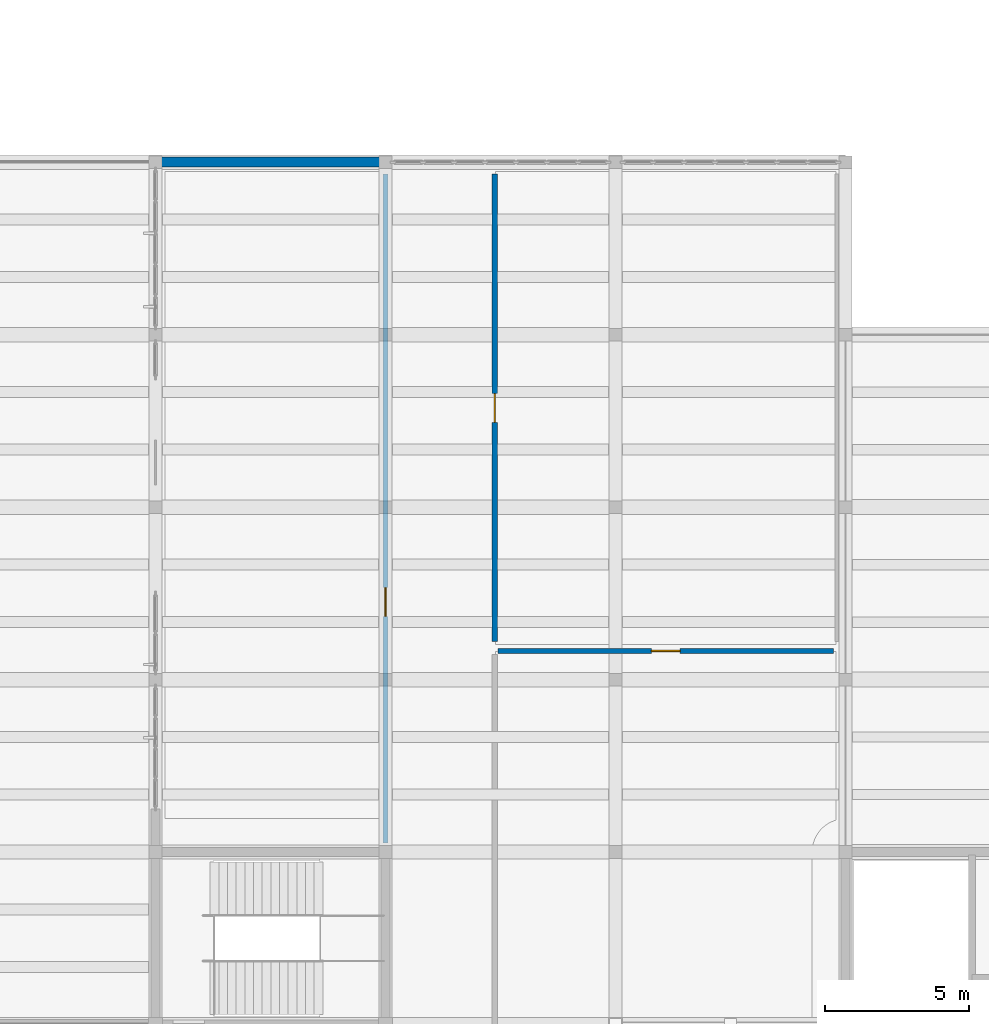
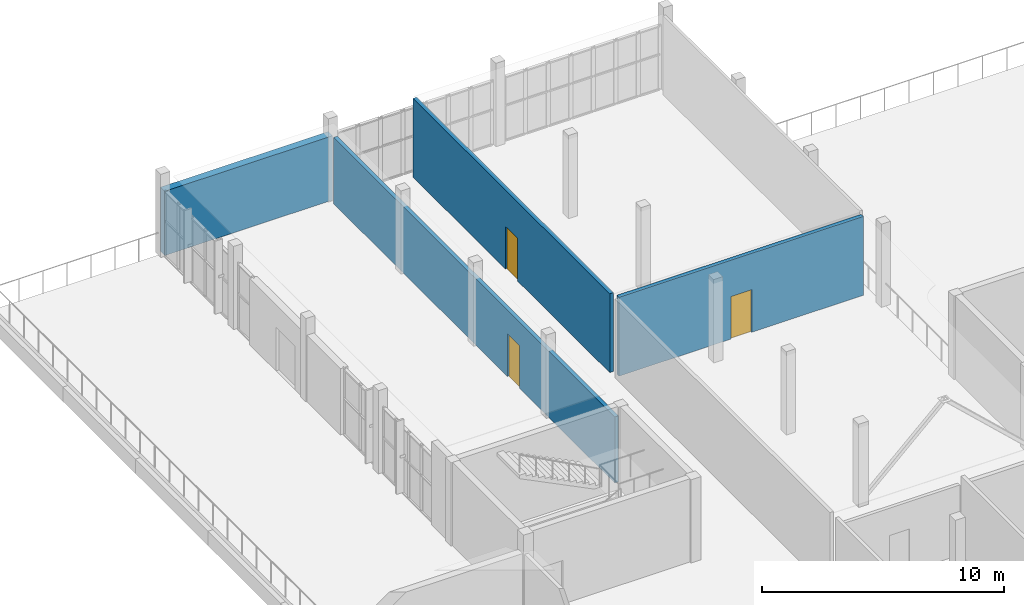
# One storey, part 54 of 70: 4 walls, 3 doors, 3 openings.
"""IFC4 building model written with IfcOpenShell, lengths in metres."""

import ifcopenshell
import ifcopenshell.guid

model = None  # the IFC model being written
_history = None  # IfcOwnerHistory: only IFC2X3 demands one
_inside = {}  # id of a spatial element -> (the spatial element, [elements in it])
_under = {}  # id of a project, library or spatial element -> (it, [spatial elements below it])
_declared = {}  # id of a project -> (the project, [libraries it declares])
_typed = {}  # id of a type object -> (the type object, [elements of that type])
_made_of = {}  # id of a material, layer set ... -> (it, [elements and type objects made of it])


def new_model(schema):
    """Start an empty IFC model of exactly this schema.

    Asked for "IFC4X3", IfcOpenShell would pick the latest addendum, in which some entities
    have other attributes; the version numbers below select the first issue.
    IFC2X3 requires an IfcOwnerHistory on every rooted entity: one is made here for all.
    """
    global model, _history
    if schema == "IFC4X3":
        model = ifcopenshell.file(schema_version=(4, 3, 0, 0))
    else:
        model = ifcopenshell.file(schema=schema)
    _inside.clear()
    _under.clear()
    _declared.clear()
    _typed.clear()
    _made_of.clear()
    _history = None
    if model.schema == "IFC2X3":
        org = make("IfcOrganization", Name="unknown")
        user = make(
            "IfcPersonAndOrganization",
            ThePerson=make("IfcPerson", FamilyName="unknown"),
            TheOrganization=org,
        )
        app = make(
            "IfcApplication",
            ApplicationDeveloper=org,
            Version="unknown",
            ApplicationFullName="unknown",
            ApplicationIdentifier="unknown",
        )
        _history = make(
            "IfcOwnerHistory",
            OwningUser=user,
            OwningApplication=app,
            ChangeAction="ADDED",
            CreationDate=0,
        )
    return model


def make(cls, **values):
    """One entity of the class cls with the attributes given. An attribute that is None is left unset."""
    return model.create_entity(
        cls, **{name: value for name, value in values.items() if value is not None}
    )


def rooted(cls, **values):
    """An entity with a GlobalId (a new one), such as an element, a storey or a relation."""
    return make(cls, GlobalId=ifcopenshell.guid.new(), OwnerHistory=_history, **values)


def si_unit(unit_type, name, prefix=None):
    """IfcSIUnit, for example si_unit("LENGTHUNIT", "METRE", prefix="MILLI")."""
    return make("IfcSIUnit", UnitType=unit_type, Prefix=prefix, Name=name)


def assignment(units):
    """IfcUnitAssignment: the units of a project."""
    return None if units is None else make("IfcUnitAssignment", Units=units)


def point(xyz):
    """IfcCartesianPoint."""
    return None if xyz is None else make("IfcCartesianPoint", Coordinates=xyz)


def direction(xyz):
    """IfcDirection."""
    return None if xyz is None else make("IfcDirection", DirectionRatios=xyz)


def frame(location, z_axis=None, x_axis=None):
    """IfcAxis2Placement3D, a coordinate frame: its origin and axes. An axis left out is left unset."""
    return make(
        "IfcAxis2Placement3D",
        Location=point(location),
        Axis=direction(z_axis),
        RefDirection=direction(x_axis),
    )


def frame_2d(location, x_axis=None):
    """IfcAxis2Placement2D, a coordinate frame in the plane: its origin and x axis."""
    return make(
        "IfcAxis2Placement2D", Location=point(location), RefDirection=direction(x_axis)
    )


def origin():
    """The frame at (0, 0, 0) with its axes left unset."""
    return frame((0.0, 0.0, 0.0))


def place(relative_to, where):
    """IfcLocalPlacement: puts the frame where relative to a parent placement (None: the world)."""
    return make(
        "IfcLocalPlacement", PlacementRelTo=relative_to, RelativePlacement=where
    )


def context(
    kind, dimensions, precision=None, world=None, true_north=None, identifier=None
):
    """IfcGeometricRepresentationContext, for example the 3D "Model" context."""
    return make(
        "IfcGeometricRepresentationContext",
        ContextIdentifier=identifier,
        ContextType=kind,
        CoordinateSpaceDimension=dimensions,
        Precision=precision,
        WorldCoordinateSystem=world,
        TrueNorth=true_north,
    )


def subcontext(parent, identifier, kind, view, scale=None):
    """IfcGeometricRepresentationSubContext, for example "Body" below "Model"."""
    return make(
        "IfcGeometricRepresentationSubContext",
        ContextIdentifier=identifier,
        ContextType=kind,
        ParentContext=parent,
        TargetScale=scale,
        TargetView=view,
    )


def project(units=None, contexts=None):
    """IfcProject with its units and contexts."""
    return rooted(
        "IfcProject",
        Name="project",
        RepresentationContexts=contexts,
        UnitsInContext=assignment(units),
    )


def spatial(cls, under=None, at=None, **own):
    """A site, building, storey or space (cls), placed at a placement, below another one or the project."""
    s = rooted(cls, ObjectPlacement=at, **own)
    if under is not None:
        _under.setdefault(under.id(), (under, []))[1].append(s)
    return s


def profile(cls, at=None, kind="AREA", **sizes):
    """A parametric profile (cls). Its sizes go by their IFC names, for example OverallWidth=200.0."""
    return make(cls, ProfileType=kind, Position=at, **sizes)


def rectangle(**sizes):
    """IfcRectangleProfileDef."""
    return profile("IfcRectangleProfileDef", **sizes)


def extrude(swept, where, along, depth):
    """IfcExtrudedAreaSolid: the profile swept, set in the frame where, extruded along a direction by depth."""
    return make(
        "IfcExtrudedAreaSolid",
        SweptArea=swept,
        Position=where,
        ExtrudedDirection=direction(along),
        Depth=depth,
    )


def shape(context_of_items, identifier, shape_type, items):
    """IfcShapeRepresentation: the items that make up one representation, for example the "Body"."""
    return make(
        "IfcShapeRepresentation",
        ContextOfItems=context_of_items,
        RepresentationIdentifier=identifier,
        RepresentationType=shape_type,
        Items=items,
    )


def material(Name=None, Category=None):
    """IfcMaterial."""
    return make("IfcMaterial", Name=Name, Category=Category)


def layer(
    of_material, thickness, ventilated=None, Name=None, Category=None, Priority=None
):
    """IfcMaterialLayer: one layer of a wall or slab, of a material (None: an air gap)."""
    return make(
        "IfcMaterialLayer",
        Material=of_material,
        LayerThickness=thickness,
        IsVentilated=ventilated,
        Name=Name,
        Category=Category,
        Priority=Priority,
    )


def layer_set(layers, Name=None):
    """IfcMaterialLayerSet."""
    return make("IfcMaterialLayerSet", MaterialLayers=layers, LayerSetName=Name)


def made_of(thing, what):
    """Note that an element or type object is made of a material, layer set ...; save() writes the relation."""
    if what is not None:
        _made_of.setdefault(what.id(), (what, []))[1].append(thing)
    return thing


def type_object(cls, material=None, **own):
    """A type object (cls), such as IfcWallType, which elements share."""
    return made_of(rooted(cls, **own), material)


def element(
    cls,
    number,
    at=None,
    inside=None,
    cuts=None,
    type_object=None,
    material=None,
    context=None,
    identifier="Body",
    shape_type=None,
    held_by="IfcProductDefinitionShape",
    body=None,
    shapes=None,
    **own,
):
    """One element of the class cls, such as IfcWall. Its Tag is "e" and its number.

    at: its placement. inside: the storey or other place that contains it. cuts: it is an
    opening in that element (IfcRelVoidsElement). A single representation is given by context,
    identifier, shape_type and body (its items); several are given by shapes. held_by: the class
    of the entity that holds the representations. save() writes the other relations.
    """
    e = rooted(cls, Tag="e%d" % number, ObjectPlacement=at, **own)
    if body is not None:
        shapes = [shape(context, identifier, shape_type, body)]
    if shapes is not None:
        e.Representation = make(held_by, Representations=shapes)
    if inside is not None:
        _inside.setdefault(inside.id(), (inside, []))[1].append(e)
    if cuts is not None:
        rooted(
            "IfcRelVoidsElement", RelatingBuildingElement=cuts, RelatedOpeningElement=e
        )
    if type_object is not None:
        _typed.setdefault(type_object.id(), (type_object, []))[1].append(e)
    return made_of(e, material)


def fill(opening, filler):
    """IfcRelFillsElement: the door or window that sits in an opening."""
    return rooted(
        "IfcRelFillsElement",
        RelatingOpeningElement=opening,
        RelatedBuildingElement=filler,
    )


def aggregate(whole, parts):
    """IfcRelAggregates: a whole, such as a stair, and the parts it consists of."""
    return rooted("IfcRelAggregates", RelatingObject=whole, RelatedObjects=parts)


def save(model, path):
    """Write the relations noted so far, then the file.

    IfcRelAggregates (storeys below a building ...), IfcRelContainedInSpatialStructure (elements
    in a storey), IfcRelDefinesByType, IfcRelAssociatesMaterial and IfcRelDeclares: one each for
    every whole, place, type object, material and project.
    """
    for whole, parts in _under.values():
        aggregate(whole, parts)
    for where, things in _inside.values():
        rooted(
            "IfcRelContainedInSpatialStructure",
            RelatedElements=things,
            RelatingStructure=where,
        )
    for kind, things in _typed.values():
        rooted("IfcRelDefinesByType", RelatedObjects=things, RelatingType=kind)
    for what, things in _made_of.values():
        rooted("IfcRelAssociatesMaterial", RelatedObjects=things, RelatingMaterial=what)
    for by, libraries in _declared.values():
        rooted("IfcRelDeclares", RelatingContext=by, RelatedDefinitions=libraries)
    model.write(path)


model = new_model("IFC4")

# Units and contexts
model_context = context("Model", 3, precision=1e-05, world=origin(), true_north=direction((0.0, 1.0)))
body_context = subcontext(model_context, "Body", "Model", "MODEL_VIEW")
ifc_project = project(units=[si_unit("LENGTHUNIT", "METRE"), si_unit("AREAUNIT", "SQUARE_METRE"), si_unit("VOLUMEUNIT", "CUBIC_METRE"), si_unit("PLANEANGLEUNIT", "RADIAN"), si_unit("MASSUNIT", "GRAM", prefix="KILO")], contexts=[model_context])

# Site, building, storey
site_placement = place(None, origin())
site = spatial("IfcSite", under=ifc_project, at=site_placement, CompositionType="ELEMENT")
building_placement = place(site_placement, origin())
building = spatial("IfcBuilding", under=site, at=building_placement, Name="Solvane Community Centre", CompositionType="ELEMENT")
storey_placement = place(building_placement, frame((0.0, 0.0, 9.60009765625)))
storey = spatial("IfcBuildingStorey", under=building, at=storey_placement, Name="L02", CompositionType="ELEMENT", Elevation=9.60009765625)

# Wall
ifc_material_1 = material(Name="Precast concrete C35/45", Category="concrete")
ifc_layer_1 = layer(ifc_material_1, 0.35009765625)
ifc_layer_set_1 = layer_set([ifc_layer_1], Name="Precast concrete C35/45")
wall_type_1 = type_object("IfcWallType", Name="Art Deco Limestone Cavity Wall 350mm [80x32dm]", PredefinedType="SOLIDWALL", material=ifc_layer_set_1)
wall_1_placement = place(storey_placement, frame((116.0, 60.0, 0.0), z_axis=(0.0, 0.0, 1.0), x_axis=(1.0, 0.0, 0.0)))
element("IfcWall", 1, at=wall_1_placement, inside=storey, type_object=wall_type_1, Name="Exterior Wall WL-EXT-L02-0122", PredefinedType="SOLIDWALL", context=body_context, shape_type="SweptSolid", body=[
    extrude(rectangle(XDim=8.0, YDim=0.35009765625, at=frame_2d((4.0, 0.0))), origin(), (0.0, 0.0, 1.0), 3.244873046875),
])

# Wall, opening, door
ifc_material_2 = material(Name="Gypsum board partition")
ifc_layer_2 = layer(ifc_material_2, 0.179931640625)
ifc_layer_set_2 = layer_set([ifc_layer_2], Name="Gypsum board partition")
wall_type_2 = type_object("IfcWallType", Name="Protected Corridor Wall 180mm [117x40dm]", PredefinedType="PARTITIONING", material=ifc_layer_set_2)
wall_2_placement = place(storey_placement, frame((139.580078125, 43.0, 0.0), z_axis=(0.0, 0.0, 1.0), x_axis=(-1.0, 0.0, 0.0)))
wall_2 = element("IfcWall", 2, at=wall_2_placement, inside=storey, type_object=wall_type_2, Name="Interior Wall WL-INT-L02-0323", PredefinedType="PARTITIONING", context=body_context, shape_type="SweptSolid", body=[
    extrude(rectangle(XDim=11.66015625, YDim=0.179931640625, at=frame_2d((5.830078125, 0.0))), origin(), (0.0, 0.0, 1.0), 3.97998046875),
])
opening_1_placement = place(wall_2_placement, frame((5.330078125, 0.0, 0.0)))
opening_1 = element("IfcOpeningElement", 3, at=opening_1_placement, cuts=wall_2, Name="Opening ID01", PredefinedType="OPENING", context=body_context, shape_type="SweptSolid", body=[
    extrude(rectangle(XDim=1.0, YDim=2.14990234375, at=frame_2d((0.5, 1.074951171875))), frame((0.0, 0.099853515625, 0.0), z_axis=(0.0, -1.0, 0.0), x_axis=(1.0, 0.0, 0.0)), (0.0, 0.0, 1.0), 0.199951171875),
])
ifc_material_3 = material(Name="Anodised bronze aluminium AW-6063 T6", Category="aluminium")
door_type = type_object("IfcDoorType", Name="Corridor Rated Classroom Door 1000x2150", OperationType="NOTDEFINED", PredefinedType="DOOR", material=ifc_material_3)
door_1_placement = place(opening_1_placement, origin())
door_1 = element("IfcDoor", 4, at=door_1_placement, inside=storey, type_object=door_type, Name="L02-D125", OperationType="SINGLE_SWING_LEFT", OverallHeight=2.14990234375, OverallWidth=1.0, PredefinedType="DOOR", context=body_context, shape_type="SweptSolid", body=[
    extrude(rectangle(XDim=1.0, YDim=2.14990234375, at=frame_2d((0.5, 1.074951171875))), frame((0.0, 0.02490234375, 0.0), z_axis=(0.0, -1.0, 0.0), x_axis=(1.0, 0.0, 0.0)), (0.0, 0.0, 1.0), 0.050048828125),
])
fill(opening_1, door_1)

ifc_layer_3 = layer(ifc_material_2, 0.179931640625)
ifc_layer_set_3 = layer_set([ifc_layer_3], Name="Gypsum board partition")
wall_type_3 = type_object("IfcWallType", Name="Protected Corridor Wall 180mm [163x40dm]", PredefinedType="PARTITIONING", material=ifc_layer_set_3)
wall_3_placement = place(storey_placement, frame((127.800048828125, 59.580078125, 0.0), z_axis=(0.0, 0.0, 1.0), x_axis=(0.0, -1.0, 0.0)))
wall_3 = element("IfcWall", 5, at=wall_3_placement, inside=storey, type_object=wall_type_3, Name="Interior Wall WL-INT-L02-0325", PredefinedType="PARTITIONING", context=body_context, shape_type="SweptSolid", body=[
    extrude(rectangle(XDim=16.260009765625, YDim=0.179931640625, at=frame_2d((8.1298828125, 0.0))), origin(), (0.0, 0.0, 1.0), 3.97998046875),
])
opening_2_placement = place(wall_3_placement, frame((7.6298828125, 0.0, 0.0)))
opening_2 = element("IfcOpeningElement", 6, at=opening_2_placement, cuts=wall_3, Name="Opening ID01", PredefinedType="OPENING", context=body_context, shape_type="SweptSolid", body=[
    extrude(rectangle(XDim=1.0, YDim=2.14990234375, at=frame_2d((0.5, 1.074951171875))), frame((0.0, 0.099853515625, 0.0), z_axis=(0.0, -1.0, 0.0), x_axis=(1.0, 0.0, 0.0)), (0.0, 0.0, 1.0), 0.199951171875),
])
door_2_placement = place(opening_2_placement, origin())
door_2 = element("IfcDoor", 7, at=door_2_placement, inside=storey, type_object=door_type, Name="L02-D126", OperationType="SINGLE_SWING_RIGHT", OverallHeight=2.14990234375, OverallWidth=1.0, PredefinedType="DOOR", context=body_context, shape_type="SweptSolid", body=[
    extrude(rectangle(XDim=1.0, YDim=2.14990234375, at=frame_2d((0.5, 1.074951171875))), frame((0.0, 0.02490234375, 0.0), z_axis=(0.0, -1.0, 0.0), x_axis=(1.0, 0.0, 0.0)), (0.0, 0.0, 1.0), 0.050048828125),
])
fill(opening_2, door_2)

ifc_layer_4 = layer(ifc_material_2, 0.179931640625)
ifc_layer_set_4 = layer_set([ifc_layer_4], Name="Gypsum board partition")
wall_type_4 = type_object("IfcWallType", Name="Protected Corridor Wall 180mm [233x33dm]", PredefinedType="PARTITIONING", material=ifc_layer_set_4)
wall_4_placement = place(storey_placement, frame((124.0, 36.320068359375, 0.0), z_axis=(0.0, 0.0, 1.0), x_axis=(0.0, 1.0, 0.0)))
wall_4 = element("IfcWall", 8, at=wall_4_placement, inside=storey, type_object=wall_type_4, Name="Interior Wall WL-INT-L02-0322", PredefinedType="PARTITIONING", context=body_context, shape_type="SweptSolid", body=[
    extrude(rectangle(XDim=23.260009765625, YDim=0.179931640625, at=frame_2d((11.6298828125, 0.0))), origin(), (0.0, 0.0, 1.0), 3.344970703125),
])
opening_3_placement = place(wall_4_placement, frame((7.881103515625, 0.0, 0.0)))
opening_3 = element("IfcOpeningElement", 9, at=opening_3_placement, cuts=wall_4, Name="Opening ID01", PredefinedType="OPENING", context=body_context, shape_type="SweptSolid", body=[
    extrude(rectangle(XDim=1.0, YDim=2.14990234375, at=frame_2d((0.5, 1.074951171875))), frame((0.0, 0.099853515625, 0.0), z_axis=(0.0, -1.0, 0.0), x_axis=(1.0, 0.0, 0.0)), (0.0, 0.0, 1.0), 0.199951171875),
])
door_3_placement = place(opening_3_placement, origin())
door_3 = element("IfcDoor", 10, at=door_3_placement, inside=storey, type_object=door_type, Name="L02-D124", OperationType="SINGLE_SWING_RIGHT", OverallHeight=2.14990234375, OverallWidth=1.0, PredefinedType="DOOR", context=body_context, shape_type="SweptSolid", body=[
    extrude(rectangle(XDim=1.0, YDim=2.14990234375, at=frame_2d((0.5, 1.074951171875))), frame((0.0, 0.02490234375, 0.0), z_axis=(0.0, -1.0, 0.0), x_axis=(1.0, 0.0, 0.0)), (0.0, 0.0, 1.0), 0.050048828125),
])
fill(opening_3, door_3)

save(model, "model.ifc")
